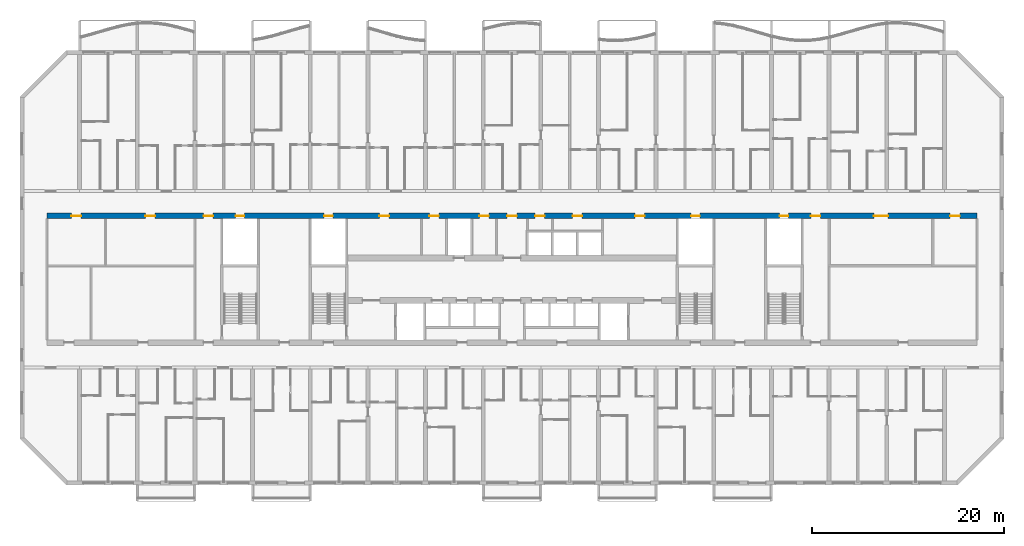
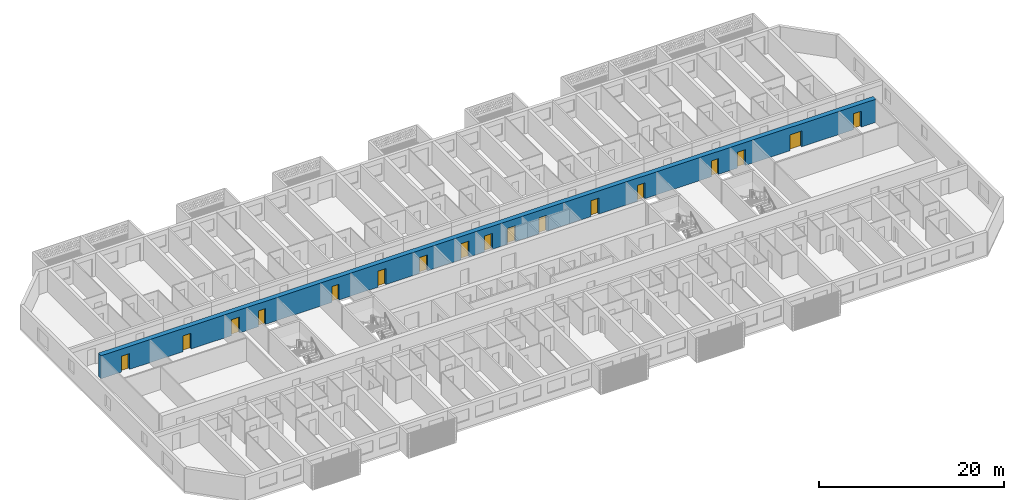
# One storey, part 9 of 40: 17 doors, 1 wall, 17 openings.
"""IFC4 building model written with IfcOpenShell, lengths in metres."""

from ifc_helpers import new_model, si_unit, direction, frame, frame_2d, origin, place, context, subcontext, project, spatial, rectangle, extrude, material, layer, layer_set, type_object, element, fill, save


model = new_model("IFC4")

# Units and contexts
model_context = context("Model", 3, precision=1e-05, world=origin(), true_north=direction((0.0, 1.0)))
body_context = subcontext(model_context, "Body", "Model", "MODEL_VIEW")
ifc_project = project(units=[si_unit("LENGTHUNIT", "METRE"), si_unit("AREAUNIT", "SQUARE_METRE"), si_unit("VOLUMEUNIT", "CUBIC_METRE"), si_unit("PLANEANGLEUNIT", "RADIAN"), si_unit("MASSUNIT", "GRAM", prefix="KILO")], contexts=[model_context])

# Site, building, storey
site_placement = place(None, origin())
site = spatial("IfcSite", under=ifc_project, at=site_placement, CompositionType="ELEMENT")
building_placement = place(site_placement, origin())
building = spatial("IfcBuilding", under=site, at=building_placement, Name="Poui Terraces", CompositionType="ELEMENT")
storey_placement = place(building_placement, frame((0.0, 0.0, 33.300048828125)))
storey = spatial("IfcBuildingStorey", under=building, at=storey_placement, Name="L08", CompositionType="ELEMENT", Elevation=33.300048828125)

# Wall, openings, doors
ifc_material_1 = material(Name="Concrete 80 MPa", Category="concrete")
ifc_layer = layer(ifc_material_1, 0.60009765625)
ifc_layer_set = layer_set([ifc_layer], Name="Concrete 80 MPa")
wall_type = type_object("IfcWallType", Name="SPINE WALL 600 80 MPA", PredefinedType="SOLIDWALL", material=ifc_layer_set)
wall_placement = place(storey_placement, frame((2.60009765625, 27.800048828125, 0.0), z_axis=(0.0, 0.0, 1.0), x_axis=(1.0, 0.0, 0.0)))
wall = element("IfcWall", 1, at=wall_placement, inside=storey, type_object=wall_type, Name="SPINE WALL", PredefinedType="SOLIDWALL", context=body_context, shape_type="SweptSolid", body=[
    extrude(rectangle(XDim=96.7998046875, YDim=0.60009765625, at=frame_2d((48.39990234375, 0.0))), origin(), (0.0, 0.0, 1.0), 3.050048828125),
])
opening_1_placement = place(wall_placement, frame((2.550048828125, 0.0, 0.0)))
opening_1 = element("IfcOpeningElement", 2, at=opening_1_placement, cuts=wall, Name="Opening D100", PredefinedType="OPENING", context=body_context, shape_type="SweptSolid", body=[
    extrude(rectangle(XDim=1.0, YDim=2.10009765625, at=frame_2d((0.5, 1.050048828125))), frame((0.0, 0.31005859375, 0.0), z_axis=(0.0, -1.0, 0.0), x_axis=(1.0, 0.0, 0.0)), (0.0, 0.0, 1.0), 0.6201171875),
])
opening_2_placement = place(wall_placement, frame((10.25, 0.0, 0.0)))
opening_2 = element("IfcOpeningElement", 3, at=opening_2_placement, cuts=wall, Name="Opening FD60", PredefinedType="OPENING", context=body_context, shape_type="SweptSolid", body=[
    extrude(rectangle(XDim=1.0, YDim=2.10009765625, at=frame_2d((0.5, 1.050048828125))), frame((0.0, 0.31005859375, 0.0), z_axis=(0.0, -1.0, 0.0), x_axis=(1.0, 0.0, 0.0)), (0.0, 0.0, 1.0), 0.6201171875),
])
opening_3_placement = place(wall_placement, frame((16.300048828125, 0.0, 0.0)))
opening_3 = element("IfcOpeningElement", 4, at=opening_3_placement, cuts=wall, Name="Opening FDL", PredefinedType="OPENING", context=body_context, shape_type="SweptSolid", body=[
    extrude(rectangle(XDim=1.0, YDim=2.10009765625, at=frame_2d((0.5, 1.050048828125))), frame((0.0, 0.31005859375, 0.0), z_axis=(0.0, -1.0, 0.0), x_axis=(1.0, 0.0, 0.0)), (0.0, 0.0, 1.0), 0.6201171875),
])
opening_4_placement = place(wall_placement, frame((19.64990234375, 0.0, 0.0)))
opening_4 = element("IfcOpeningElement", 5, at=opening_4_placement, cuts=wall, Name="Opening FDR", PredefinedType="OPENING", context=body_context, shape_type="SweptSolid", body=[
    extrude(rectangle(XDim=0.89990234375, YDim=2.10009765625, at=frame_2d((0.449951171875, 1.050048828125))), frame((0.0, 0.31005859375, 0.0), z_axis=(0.0, -1.0, 0.0), x_axis=(1.0, 0.0, 0.0)), (0.0, 0.0, 1.0), 0.6201171875),
])
opening_5_placement = place(wall_placement, frame((28.85009765625, 0.0, 0.0)))
opening_5 = element("IfcOpeningElement", 6, at=opening_5_placement, cuts=wall, Name="Opening FDR", PredefinedType="OPENING", context=body_context, shape_type="SweptSolid", body=[
    extrude(rectangle(XDim=0.89990234375, YDim=2.10009765625, at=frame_2d((0.449951171875, 1.050048828125))), frame((0.0, 0.31005859375, 0.0), z_axis=(0.0, -1.0, 0.0), x_axis=(1.0, 0.0, 0.0)), (0.0, 0.0, 1.0), 0.6201171875),
])
opening_6_placement = place(wall_placement, frame((34.60009765625, 0.0, 0.0)))
opening_6 = element("IfcOpeningElement", 7, at=opening_6_placement, cuts=wall, Name="Opening FD60", PredefinedType="OPENING", context=body_context, shape_type="SweptSolid", body=[
    extrude(rectangle(XDim=1.0, YDim=2.10009765625, at=frame_2d((0.5, 1.050048828125))), frame((0.0, 0.31005859375, 0.0), z_axis=(0.0, -1.0, 0.0), x_axis=(1.0, 0.0, 0.0)), (0.0, 0.0, 1.0), 0.6201171875),
])
opening_7_placement = place(wall_placement, frame((39.800048828125, 0.0, 0.0)))
opening_7 = element("IfcOpeningElement", 8, at=opening_7_placement, cuts=wall, Name="Opening FD60", PredefinedType="OPENING", context=body_context, shape_type="SweptSolid", body=[
    extrude(rectangle(XDim=1.0, YDim=2.10009765625, at=frame_2d((0.5, 1.050048828125))), frame((0.0, 0.31005859375, 0.0), z_axis=(0.0, -1.0, 0.0), x_axis=(1.0, 0.0, 0.0)), (0.0, 0.0, 1.0), 0.6201171875),
])
opening_8_placement = place(wall_placement, frame((45.0, 0.0, 0.0)))
opening_8 = element("IfcOpeningElement", 9, at=opening_8_placement, cuts=wall, Name="Opening FD60", PredefinedType="OPENING", context=body_context, shape_type="SweptSolid", body=[
    extrude(rectangle(XDim=1.0, YDim=2.10009765625, at=frame_2d((0.5, 1.050048828125))), frame((0.0, 0.31005859375, 0.0), z_axis=(0.0, -1.0, 0.0), x_axis=(1.0, 0.0, 0.0)), (0.0, 0.0, 1.0), 0.6201171875),
])
opening_9_placement = place(wall_placement, frame((47.89990234375, 0.0, 0.0)))
opening_9 = element("IfcOpeningElement", 10, at=opening_9_placement, cuts=wall, Name="Opening FDL", PredefinedType="OPENING", context=body_context, shape_type="SweptSolid", body=[
    extrude(rectangle(XDim=1.0, YDim=2.10009765625, at=frame_2d((0.5, 1.050048828125))), frame((0.0, 0.31005859375, 0.0), z_axis=(0.0, -1.0, 0.0), x_axis=(1.0, 0.0, 0.0)), (0.0, 0.0, 1.0), 0.6201171875),
])
opening_10_placement = place(wall_placement, frame((50.800048828125, 0.0, 0.0)))
opening_10 = element("IfcOpeningElement", 11, at=opening_10_placement, cuts=wall, Name="Opening FD60", PredefinedType="OPENING", context=body_context, shape_type="SweptSolid", body=[
    extrude(rectangle(XDim=1.0, YDim=2.10009765625, at=frame_2d((0.5, 1.050048828125))), frame((0.0, 0.31005859375, 0.0), z_axis=(0.0, -1.0, 0.0), x_axis=(1.0, 0.0, 0.0)), (0.0, 0.0, 1.0), 0.6201171875),
])
opening_11_placement = place(wall_placement, frame((54.699951171875, 0.0, 0.0)))
opening_11 = element("IfcOpeningElement", 12, at=opening_11_placement, cuts=wall, Name="Opening FD60", PredefinedType="OPENING", context=body_context, shape_type="SweptSolid", body=[
    extrude(rectangle(XDim=1.0, YDim=2.10009765625, at=frame_2d((0.5, 1.050048828125))), frame((0.0, 0.31005859375, 0.0), z_axis=(0.0, -1.0, 0.0), x_axis=(1.0, 0.0, 0.0)), (0.0, 0.0, 1.0), 0.6201171875),
])
opening_12_placement = place(wall_placement, frame((61.199951171875, 0.0, 0.0)))
opening_12 = element("IfcOpeningElement", 13, at=opening_12_placement, cuts=wall, Name="Opening FD60", PredefinedType="OPENING", context=body_context, shape_type="SweptSolid", body=[
    extrude(rectangle(XDim=1.0, YDim=2.10009765625, at=frame_2d((0.5, 1.050048828125))), frame((0.0, 0.31005859375, 0.0), z_axis=(0.0, -1.0, 0.0), x_axis=(1.0, 0.0, 0.0)), (0.0, 0.0, 1.0), 0.6201171875),
])
opening_13_placement = place(wall_placement, frame((67.050048828125, 0.0, 0.0)))
opening_13 = element("IfcOpeningElement", 14, at=opening_13_placement, cuts=wall, Name="Opening FDR", PredefinedType="OPENING", context=body_context, shape_type="SweptSolid", body=[
    extrude(rectangle(XDim=0.89990234375, YDim=2.10009765625, at=frame_2d((0.449951171875, 1.050048828125))), frame((0.0, 0.31005859375, 0.0), z_axis=(0.0, -1.0, 0.0), x_axis=(1.0, 0.0, 0.0)), (0.0, 0.0, 1.0), 0.6201171875),
])
opening_14_placement = place(wall_placement, frame((76.25, 0.0, 0.0)))
opening_14 = element("IfcOpeningElement", 15, at=opening_14_placement, cuts=wall, Name="Opening FDR", PredefinedType="OPENING", context=body_context, shape_type="SweptSolid", body=[
    extrude(rectangle(XDim=0.89990234375, YDim=2.10009765625, at=frame_2d((0.449951171875, 1.050048828125))), frame((0.0, 0.31005859375, 0.0), z_axis=(0.0, -1.0, 0.0), x_axis=(1.0, 0.0, 0.0)), (0.0, 0.0, 1.0), 0.6201171875),
])
opening_15_placement = place(wall_placement, frame((79.5, 0.0, 0.0)))
opening_15 = element("IfcOpeningElement", 16, at=opening_15_placement, cuts=wall, Name="Opening FDL", PredefinedType="OPENING", context=body_context, shape_type="SweptSolid", body=[
    extrude(rectangle(XDim=1.0, YDim=2.10009765625, at=frame_2d((0.5, 1.050048828125))), frame((0.0, 0.31005859375, 0.0), z_axis=(0.0, -1.0, 0.0), x_axis=(1.0, 0.0, 0.0)), (0.0, 0.0, 1.0), 0.6201171875),
])
opening_16_placement = place(wall_placement, frame((86.050048828125, 0.0, 0.0)))
opening_16 = element("IfcOpeningElement", 17, at=opening_16_placement, cuts=wall, Name="Opening FDP", PredefinedType="OPENING", context=body_context, shape_type="SweptSolid", body=[
    extrude(rectangle(XDim=1.5, YDim=2.10009765625, at=frame_2d((0.75, 1.050048828125))), frame((0.0, 0.31005859375, 0.0), z_axis=(0.0, -1.0, 0.0), x_axis=(1.0, 0.0, 0.0)), (0.0, 0.0, 1.0), 0.6201171875),
])
opening_17_placement = place(wall_placement, frame((94.0, 0.0, 0.0)))
opening_17 = element("IfcOpeningElement", 18, at=opening_17_placement, cuts=wall, Name="Opening D100", PredefinedType="OPENING", context=body_context, shape_type="SweptSolid", body=[
    extrude(rectangle(XDim=1.0, YDim=2.10009765625, at=frame_2d((0.5, 1.050048828125))), frame((0.0, 0.31005859375, 0.0), z_axis=(0.0, -1.0, 0.0), x_axis=(1.0, 0.0, 0.0)), (0.0, 0.0, 1.0), 0.6201171875),
])
ifc_material_2 = material(Name="Solid core timber door", Category="wood")
door_type_1 = type_object("IfcDoorType", Name="ACCESSIBLE INTERNAL DOOR 1000 X 2100", OperationType="NOTDEFINED", PredefinedType="DOOR", material=ifc_material_2)
door_1_placement = place(opening_1_placement, origin())
door_1 = element("IfcDoor", 19, at=door_1_placement, inside=storey, type_object=door_type_1, Name="ACCESSIBLE INTERNAL DOOR 001", OperationType="SINGLE_SWING_LEFT", OverallHeight=2.10009765625, OverallWidth=1.0, PredefinedType="DOOR", context=body_context, shape_type="SweptSolid", body=[
    extrude(rectangle(XDim=1.0, YDim=2.10009765625, at=frame_2d((0.5, 1.050048828125))), frame((0.0, 0.02490234375, 0.0), z_axis=(0.0, -1.0, 0.0), x_axis=(1.0, 0.0, 0.0)), (0.0, 0.0, 1.0), 0.050048828125),
])
fill(opening_1, door_1)
door_2_placement = place(opening_17_placement, origin())
door_2 = element("IfcDoor", 20, at=door_2_placement, inside=storey, type_object=door_type_1, Name="ACCESSIBLE INTERNAL DOOR 017", OperationType="SINGLE_SWING_LEFT", OverallHeight=2.10009765625, OverallWidth=1.0, PredefinedType="DOOR", context=body_context, shape_type="SweptSolid", body=[
    extrude(rectangle(XDim=1.0, YDim=2.10009765625, at=frame_2d((0.5, 1.050048828125))), frame((0.0, 0.02490234375, 0.0), z_axis=(0.0, -1.0, 0.0), x_axis=(1.0, 0.0, 0.0)), (0.0, 0.0, 1.0), 0.050048828125),
])
fill(opening_17, door_2)
ifc_material_3 = material(Name="Steel fire door", Category="steel")
door_type_2 = type_object("IfcDoorType", Name="LOBBY FIRE DOOR 1000 X 2100", OperationType="NOTDEFINED", PredefinedType="DOOR", material=ifc_material_3)
door_3_placement = place(opening_3_placement, origin())
door_3 = element("IfcDoor", 21, at=door_3_placement, inside=storey, type_object=door_type_2, Name="LOBBY FIRE DOOR 003", OperationType="SINGLE_SWING_LEFT", OverallHeight=2.10009765625, OverallWidth=1.0, PredefinedType="DOOR", context=body_context, shape_type="SweptSolid", body=[
    extrude(rectangle(XDim=1.0, YDim=2.10009765625, at=frame_2d((0.5, 1.050048828125))), frame((0.0, 0.02490234375, 0.0), z_axis=(0.0, -1.0, 0.0), x_axis=(1.0, 0.0, 0.0)), (0.0, 0.0, 1.0), 0.050048828125),
])
fill(opening_3, door_3)
door_4_placement = place(opening_9_placement, origin())
door_4 = element("IfcDoor", 22, at=door_4_placement, inside=storey, type_object=door_type_2, Name="LOBBY FIRE DOOR 009", OperationType="SINGLE_SWING_RIGHT", OverallHeight=2.10009765625, OverallWidth=1.0, PredefinedType="DOOR", context=body_context, shape_type="SweptSolid", body=[
    extrude(rectangle(XDim=1.0, YDim=2.10009765625, at=frame_2d((0.5, 1.050048828125))), frame((0.0, 0.02490234375, 0.0), z_axis=(0.0, -1.0, 0.0), x_axis=(1.0, 0.0, 0.0)), (0.0, 0.0, 1.0), 0.050048828125),
])
fill(opening_9, door_4)
door_5_placement = place(opening_15_placement, origin())
door_5 = element("IfcDoor", 23, at=door_5_placement, inside=storey, type_object=door_type_2, Name="LOBBY FIRE DOOR 015", OperationType="SINGLE_SWING_RIGHT", OverallHeight=2.10009765625, OverallWidth=1.0, PredefinedType="DOOR", context=body_context, shape_type="SweptSolid", body=[
    extrude(rectangle(XDim=1.0, YDim=2.10009765625, at=frame_2d((0.5, 1.050048828125))), frame((0.0, 0.02490234375, 0.0), z_axis=(0.0, -1.0, 0.0), x_axis=(1.0, 0.0, 0.0)), (0.0, 0.0, 1.0), 0.050048828125),
])
fill(opening_15, door_5)
door_type_3 = type_object("IfcDoorType", Name="PLANT ROOM DOOR PAIR 1500 X 2100", OperationType="DOUBLE_DOOR_SINGLE_SWING", PredefinedType="DOOR", material=ifc_material_3)
door_6_placement = place(opening_16_placement, origin())
door_6 = element("IfcDoor", 24, at=door_6_placement, inside=storey, type_object=door_type_3, Name="PLANT ROOM DOOR PAIR 016", OperationType="DOUBLE_DOOR_SINGLE_SWING", OverallHeight=2.10009765625, OverallWidth=1.5, PredefinedType="DOOR", context=body_context, shape_type="SweptSolid", body=[
    extrude(rectangle(XDim=1.5, YDim=2.10009765625, at=frame_2d((0.75, 1.050048828125))), frame((0.0, 0.02490234375, 0.0), z_axis=(0.0, -1.0, 0.0), x_axis=(1.0, 0.0, 0.0)), (0.0, 0.0, 1.0), 0.050048828125),
])
fill(opening_16, door_6)
door_type_4 = type_object("IfcDoorType", Name="RISER CUPBOARD DOOR 900 X 2100", OperationType="NOTDEFINED", PredefinedType="DOOR", material=ifc_material_3)
door_7_placement = place(opening_4_placement, origin())
door_7 = element("IfcDoor", 25, at=door_7_placement, inside=storey, type_object=door_type_4, Name="RISER CUPBOARD DOOR 004", OperationType="SINGLE_SWING_LEFT", OverallHeight=2.10009765625, OverallWidth=0.89990234375, PredefinedType="DOOR", context=body_context, shape_type="SweptSolid", body=[
    extrude(rectangle(XDim=0.89990234375, YDim=2.10009765625, at=frame_2d((0.449951171875, 1.050048828125))), frame((0.0, 0.02490234375, 0.0), z_axis=(0.0, -1.0, 0.0), x_axis=(1.0, 0.0, 0.0)), (0.0, 0.0, 1.0), 0.050048828125),
])
fill(opening_4, door_7)
door_8_placement = place(opening_5_placement, origin())
door_8 = element("IfcDoor", 26, at=door_8_placement, inside=storey, type_object=door_type_4, Name="RISER CUPBOARD DOOR 005", OperationType="SINGLE_SWING_LEFT", OverallHeight=2.10009765625, OverallWidth=0.89990234375, PredefinedType="DOOR", context=body_context, shape_type="SweptSolid", body=[
    extrude(rectangle(XDim=0.89990234375, YDim=2.10009765625, at=frame_2d((0.449951171875, 1.050048828125))), frame((0.0, 0.02490234375, 0.0), z_axis=(0.0, -1.0, 0.0), x_axis=(1.0, 0.0, 0.0)), (0.0, 0.0, 1.0), 0.050048828125),
])
fill(opening_5, door_8)
door_9_placement = place(opening_13_placement, origin())
door_9 = element("IfcDoor", 27, at=door_9_placement, inside=storey, type_object=door_type_4, Name="RISER CUPBOARD DOOR 013", OperationType="SINGLE_SWING_RIGHT", OverallHeight=2.10009765625, OverallWidth=0.89990234375, PredefinedType="DOOR", context=body_context, shape_type="SweptSolid", body=[
    extrude(rectangle(XDim=0.89990234375, YDim=2.10009765625, at=frame_2d((0.449951171875, 1.050048828125))), frame((0.0, 0.02490234375, 0.0), z_axis=(0.0, -1.0, 0.0), x_axis=(1.0, 0.0, 0.0)), (0.0, 0.0, 1.0), 0.050048828125),
])
fill(opening_13, door_9)
door_10_placement = place(opening_14_placement, origin())
door_10 = element("IfcDoor", 28, at=door_10_placement, inside=storey, type_object=door_type_4, Name="RISER CUPBOARD DOOR 014", OperationType="SINGLE_SWING_RIGHT", OverallHeight=2.10009765625, OverallWidth=0.89990234375, PredefinedType="DOOR", context=body_context, shape_type="SweptSolid", body=[
    extrude(rectangle(XDim=0.89990234375, YDim=2.10009765625, at=frame_2d((0.449951171875, 1.050048828125))), frame((0.0, 0.02490234375, 0.0), z_axis=(0.0, -1.0, 0.0), x_axis=(1.0, 0.0, 0.0)), (0.0, 0.0, 1.0), 0.050048828125),
])
fill(opening_14, door_10)
door_type_5 = type_object("IfcDoorType", Name="SERVICE ROOM FIRE DOOR 1000 X 2100", OperationType="NOTDEFINED", PredefinedType="DOOR", material=ifc_material_3)
door_11_placement = place(opening_2_placement, origin())
door_11 = element("IfcDoor", 29, at=door_11_placement, inside=storey, type_object=door_type_5, Name="SERVICE ROOM FIRE DOOR 002", OperationType="SINGLE_SWING_RIGHT", OverallHeight=2.10009765625, OverallWidth=1.0, PredefinedType="DOOR", context=body_context, shape_type="SweptSolid", body=[
    extrude(rectangle(XDim=1.0, YDim=2.10009765625, at=frame_2d((0.5, 1.050048828125))), frame((0.0, 0.02490234375, 0.0), z_axis=(0.0, -1.0, 0.0), x_axis=(1.0, 0.0, 0.0)), (0.0, 0.0, 1.0), 0.050048828125),
])
fill(opening_2, door_11)
door_12_placement = place(opening_6_placement, origin())
door_12 = element("IfcDoor", 30, at=door_12_placement, inside=storey, type_object=door_type_5, Name="SERVICE ROOM FIRE DOOR 006", OperationType="SINGLE_SWING_LEFT", OverallHeight=2.10009765625, OverallWidth=1.0, PredefinedType="DOOR", context=body_context, shape_type="SweptSolid", body=[
    extrude(rectangle(XDim=1.0, YDim=2.10009765625, at=frame_2d((0.5, 1.050048828125))), frame((0.0, 0.02490234375, 0.0), z_axis=(0.0, -1.0, 0.0), x_axis=(1.0, 0.0, 0.0)), (0.0, 0.0, 1.0), 0.050048828125),
])
fill(opening_6, door_12)
door_13_placement = place(opening_7_placement, origin())
door_13 = element("IfcDoor", 31, at=door_13_placement, inside=storey, type_object=door_type_5, Name="SERVICE ROOM FIRE DOOR 007", OperationType="SINGLE_SWING_RIGHT", OverallHeight=2.10009765625, OverallWidth=1.0, PredefinedType="DOOR", context=body_context, shape_type="SweptSolid", body=[
    extrude(rectangle(XDim=1.0, YDim=2.10009765625, at=frame_2d((0.5, 1.050048828125))), frame((0.0, 0.02490234375, 0.0), z_axis=(0.0, -1.0, 0.0), x_axis=(1.0, 0.0, 0.0)), (0.0, 0.0, 1.0), 0.050048828125),
])
fill(opening_7, door_13)
door_14_placement = place(opening_8_placement, origin())
door_14 = element("IfcDoor", 32, at=door_14_placement, inside=storey, type_object=door_type_5, Name="SERVICE ROOM FIRE DOOR 008", OperationType="SINGLE_SWING_LEFT", OverallHeight=2.10009765625, OverallWidth=1.0, PredefinedType="DOOR", context=body_context, shape_type="SweptSolid", body=[
    extrude(rectangle(XDim=1.0, YDim=2.10009765625, at=frame_2d((0.5, 1.050048828125))), frame((0.0, 0.02490234375, 0.0), z_axis=(0.0, -1.0, 0.0), x_axis=(1.0, 0.0, 0.0)), (0.0, 0.0, 1.0), 0.050048828125),
])
fill(opening_8, door_14)
door_15_placement = place(opening_10_placement, origin())
door_15 = element("IfcDoor", 33, at=door_15_placement, inside=storey, type_object=door_type_5, Name="SERVICE ROOM FIRE DOOR 010", OperationType="SINGLE_SWING_RIGHT", OverallHeight=2.10009765625, OverallWidth=1.0, PredefinedType="DOOR", context=body_context, shape_type="SweptSolid", body=[
    extrude(rectangle(XDim=1.0, YDim=2.10009765625, at=frame_2d((0.5, 1.050048828125))), frame((0.0, 0.02490234375, 0.0), z_axis=(0.0, -1.0, 0.0), x_axis=(1.0, 0.0, 0.0)), (0.0, 0.0, 1.0), 0.050048828125),
])
fill(opening_10, door_15)
door_16_placement = place(opening_11_placement, origin())
door_16 = element("IfcDoor", 34, at=door_16_placement, inside=storey, type_object=door_type_5, Name="SERVICE ROOM FIRE DOOR 011", OperationType="SINGLE_SWING_LEFT", OverallHeight=2.10009765625, OverallWidth=1.0, PredefinedType="DOOR", context=body_context, shape_type="SweptSolid", body=[
    extrude(rectangle(XDim=1.0, YDim=2.10009765625, at=frame_2d((0.5, 1.050048828125))), frame((0.0, 0.02490234375, 0.0), z_axis=(0.0, -1.0, 0.0), x_axis=(1.0, 0.0, 0.0)), (0.0, 0.0, 1.0), 0.050048828125),
])
fill(opening_11, door_16)
door_17_placement = place(opening_12_placement, origin())
door_17 = element("IfcDoor", 35, at=door_17_placement, inside=storey, type_object=door_type_5, Name="SERVICE ROOM FIRE DOOR 012", OperationType="SINGLE_SWING_RIGHT", OverallHeight=2.10009765625, OverallWidth=1.0, PredefinedType="DOOR", context=body_context, shape_type="SweptSolid", body=[
    extrude(rectangle(XDim=1.0, YDim=2.10009765625, at=frame_2d((0.5, 1.050048828125))), frame((0.0, 0.02490234375, 0.0), z_axis=(0.0, -1.0, 0.0), x_axis=(1.0, 0.0, 0.0)), (0.0, 0.0, 1.0), 0.050048828125),
])
fill(opening_12, door_17)

save(model, "model.ifc")
